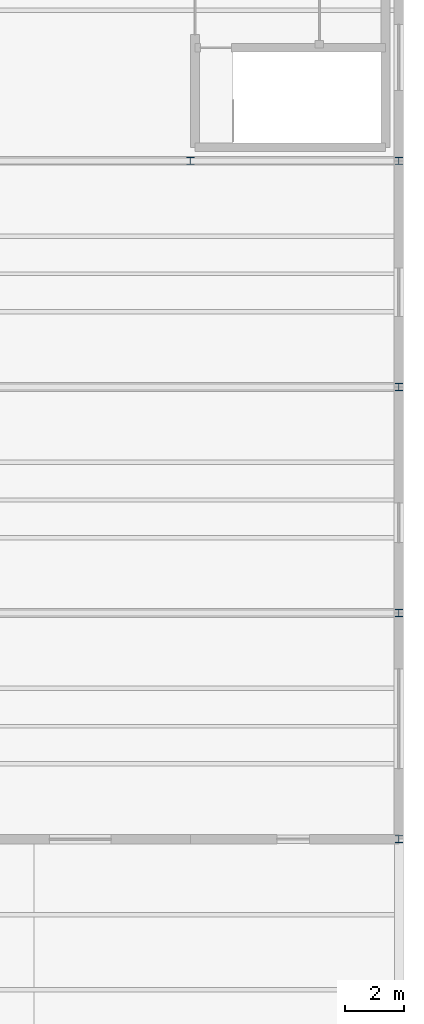
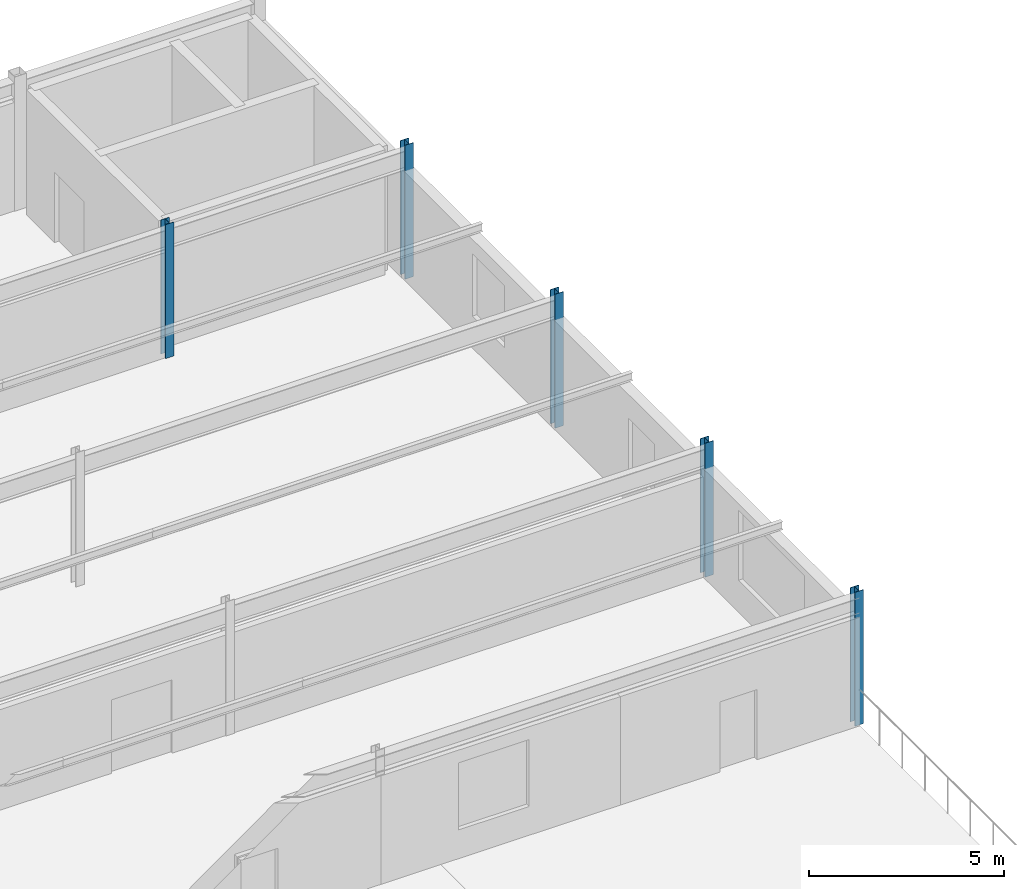
# One storey, part 12 of 39: 5 columns.
"""IFC4 building model written with IfcOpenShell, lengths in metres."""

from ifc_helpers import new_model, si_unit, direction, frame, origin, origin_2d, place, context, subcontext, project, spatial, i_section, extrude, material, material_profile, profile_set, type_object, element, save


model = new_model("IFC4")

# Units and contexts
model_context = context("Model", 3, precision=1e-05, world=origin(), true_north=direction((0.0, 1.0)))
body_context = subcontext(model_context, "Body", "Model", "MODEL_VIEW")
ifc_project = project(units=[si_unit("LENGTHUNIT", "METRE"), si_unit("AREAUNIT", "SQUARE_METRE"), si_unit("VOLUMEUNIT", "CUBIC_METRE"), si_unit("PLANEANGLEUNIT", "RADIAN"), si_unit("MASSUNIT", "GRAM", prefix="KILO")], contexts=[model_context])

# Site, building, storey
site_placement = place(None, origin())
site = spatial("IfcSite", under=ifc_project, at=site_placement, CompositionType="ELEMENT")
building_placement = place(site_placement, origin())
building = spatial("IfcBuilding", under=site, at=building_placement, Name="Kazenagashi Tramway Depot", CompositionType="ELEMENT")
storey_placement = place(building_placement, frame((0.0, 0.0, 11.1)))
storey = spatial("IfcBuildingStorey", under=building, at=storey_placement, Name="L03", CompositionType="ELEMENT", Elevation=11.1)

# Columns
ifc_material = material(Name="Steel SN490B", Category="steel")
ifc_material_profile = material_profile(ifc_material, i_section(OverallWidth=0.25, OverallDepth=0.25, WebThickness=0.009, FlangeThickness=0.014, at=origin_2d()), Name="H-250x250x9x14")
ifc_profile_set = profile_set([ifc_material_profile], Name="Steel SN490B")
column_type = type_object("IfcColumnType", Name="C-06", PredefinedType="COLUMN", material=ifc_profile_set)
for number, where, z_axis, x_axis, name in (
    (1, (188.9, 61.6, 0.0), (0.0, 0.0, 1.0), (1.0, 0.0, 0.0), "Column C-06 COL-0500"),
    (2, (196.0, 38.5, 0.0), (0.0, 0.0, 1.0), (1.0, 0.0, 0.0), "Column C-06 COL-0516"),
    (3, (196.0, 46.2, 0.0), (0.0, 0.0, 1.0), (1.0, 0.0, 0.0), "Column C-06 COL-0519"),
    (4, (196.0, 53.9, 0.0), (0.0, 0.0, 1.0), (1.0, 0.0, 0.0), "Column C-06 COL-0522"),
    (5, (196.0, 61.6, 0.0), (0.0, 0.0, 1.0), (1.0, 0.0, 0.0), "Column C-06 COL-0525"),
):
    element("IfcColumn", number, at=place(storey_placement, frame(where, z_axis=z_axis, x_axis=x_axis)), inside=storey, type_object=column_type, Name=name, PredefinedType="COLUMN", context=body_context, shape_type="SweptSolid", body=[
        extrude(i_section(OverallWidth=0.25, OverallDepth=0.25, WebThickness=0.009, FlangeThickness=0.014, at=origin_2d()), origin(), (0.0, 0.0, 1.0), 4.2),
    ])

save(model, "model.ifc")
